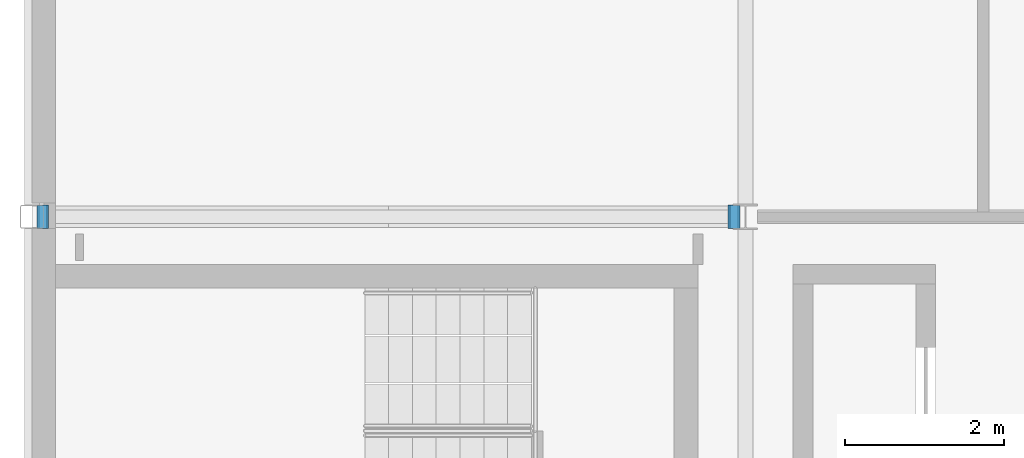
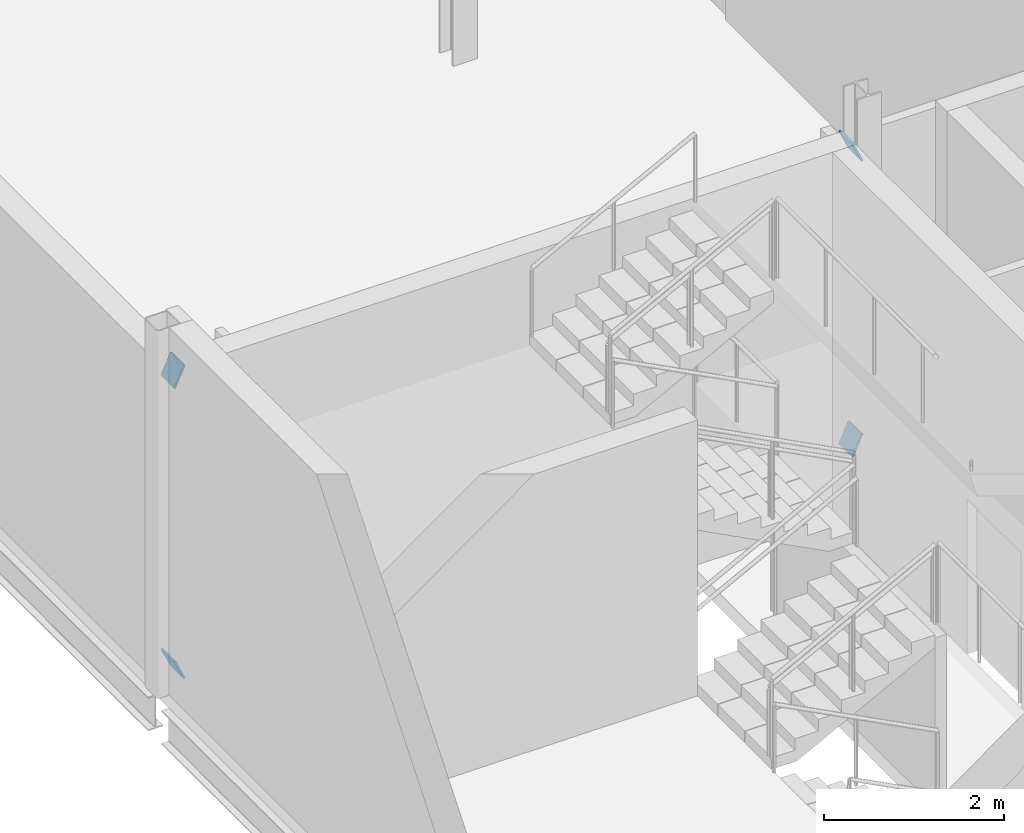
# One storey, part 95 of 112: 4 discrete accessories.
"""IFC4 building model written with IfcOpenShell, lengths in metres."""

from ifc_helpers import new_model, si_unit, direction, frame, origin, place, context, subcontext, project, spatial, polyline, outline, extrude, material, layer, layer_set, type_object, element, save


model = new_model("IFC4")

# Units and contexts
model_context = context("Model", 3, precision=1e-05, world=origin(), true_north=direction((0.0, 1.0)))
body_context = subcontext(model_context, "Body", "Model", "MODEL_VIEW")
ifc_project = project(units=[si_unit("LENGTHUNIT", "METRE"), si_unit("AREAUNIT", "SQUARE_METRE"), si_unit("VOLUMEUNIT", "CUBIC_METRE"), si_unit("PLANEANGLEUNIT", "RADIAN"), si_unit("MASSUNIT", "GRAM", prefix="KILO")], contexts=[model_context])

# Site, building, storey
site_placement = place(None, origin())
site = spatial("IfcSite", under=ifc_project, at=site_placement, CompositionType="ELEMENT")
building_placement = place(site_placement, origin())
building = spatial("IfcBuilding", under=site, at=building_placement, Name="Shorebreak Coast Museum", CompositionType="ELEMENT")
storey_placement = place(building_placement, frame((0.0, 0.0, 6.0)))
storey = spatial("IfcBuildingStorey", under=building, at=storey_placement, Name="L01", CompositionType="ELEMENT", Elevation=6.0)

# Discrete accessories
ifc_material = material(Name="Steel Grade 300", Category="steel")
ifc_layer = layer(ifc_material, 0.02490234375)
ifc_layer_set = layer_set([ifc_layer], Name="Steel Grade 300")
discrete_accessory_type = type_object("IfcDiscreteAccessoryType", Name="End plate 300 x 300 x 25", PredefinedType="BRACKET", material=ifc_layer_set)
discrete_accessory_1_placement = place(storey_placement, frame((0.21240234375, 62.85009765625, 0.16357421875), z_axis=(0.909360103086, 0.0, 0.416009859156), x_axis=(0.0, 1.0, 0.0)))
element("IfcDiscreteAccessory", 1, at=discrete_accessory_1_placement, inside=storey, type_object=discrete_accessory_type, Name="End plate X-brace bay 05 L01 diagonal 1 end 1", PredefinedType="BRACKET", context=body_context, shape_type="SweptSolid", body=[
    extrude(outline(polyline([(0.0, 0.0), (0.2998046875, 0.0), (0.2998046875, 0.29988678544336883), (0.0, 0.29988678544336883), (0.0, 0.0)])), origin(), (0.0, 0.0, -1.0), 0.02490234375),
])
discrete_accessory_2_placement = place(storey_placement, frame((8.9306640625, 62.85009765625, 4.14892578125), z_axis=(0.909500839953, 0.0, 0.415702083378), x_axis=(0.0, 1.0, 0.0)))
element("IfcDiscreteAccessory", 2, at=discrete_accessory_2_placement, inside=storey, type_object=discrete_accessory_type, Name="End plate X-brace bay 05 L01 diagonal 1 end 2", PredefinedType="BRACKET", context=body_context, shape_type="SweptSolid", body=[
    extrude(outline(polyline([(0.0, 0.0), (0.2998046875, 0.0), (0.2998046875, 0.30010881437343706), (0.0, 0.30010881437343706), (0.0, 0.0)])), origin(), (0.0, 0.0, -1.0), 0.02490234375),
])
discrete_accessory_3_placement = place(storey_placement, frame((8.783203125, 63.14990234375, 0.16357421875), z_axis=(-0.909360103086, 0.0, 0.416009859156), x_axis=(0.0, -1.0, 0.0)))
element("IfcDiscreteAccessory", 3, at=discrete_accessory_3_placement, inside=storey, type_object=discrete_accessory_type, Name="End plate X-brace bay 05 L01 diagonal 2 end 1", PredefinedType="BRACKET", context=body_context, shape_type="SweptSolid", body=[
    extrude(outline(polyline([(0.0, 0.0), (0.2998046875, 0.0), (0.2998046875, 0.29988678544336883), (0.0, 0.29988678544336883), (0.0, 0.0)])), origin(), (0.0, 0.0, -1.0), 0.02490234375),
])
discrete_accessory_4_placement = place(storey_placement, frame((0.06494140625, 63.14990234375, 4.14892578125), z_axis=(-0.909500839953, 0.0, 0.415702083378), x_axis=(0.0, -1.0, 0.0)))
element("IfcDiscreteAccessory", 4, at=discrete_accessory_4_placement, inside=storey, type_object=discrete_accessory_type, Name="End plate X-brace bay 05 L01 diagonal 2 end 2", PredefinedType="BRACKET", context=body_context, shape_type="SweptSolid", body=[
    extrude(outline(polyline([(0.0, 0.0), (0.2998046875, 0.0), (0.2998046875, 0.30010881437343706), (0.0, 0.30010881437343706), (0.0, 0.0)])), origin(), (0.0, 0.0, -1.0), 0.02490234375),
])

save(model, "model.ifc")
